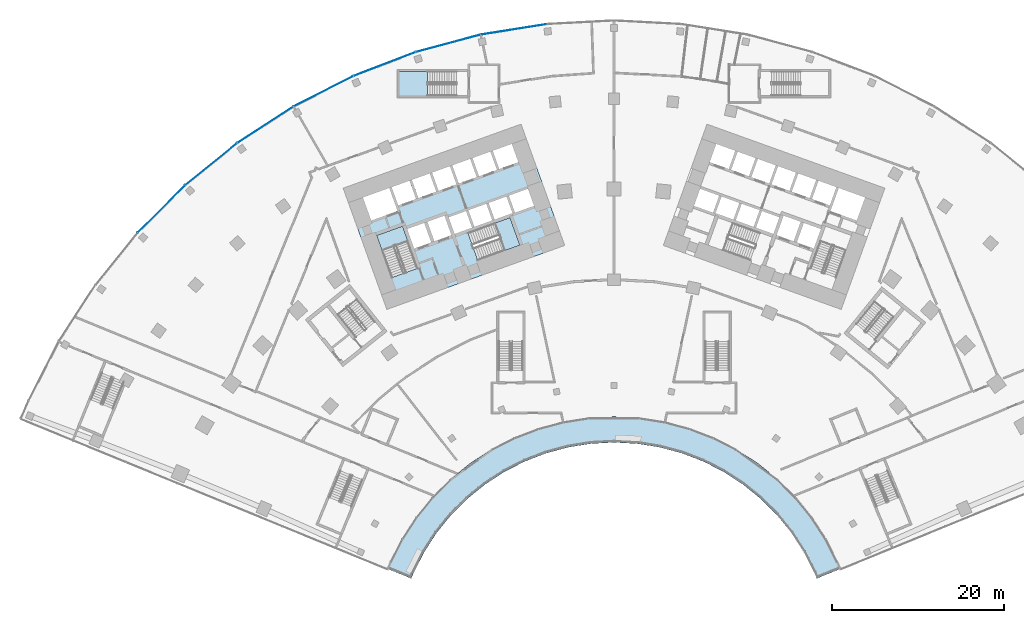
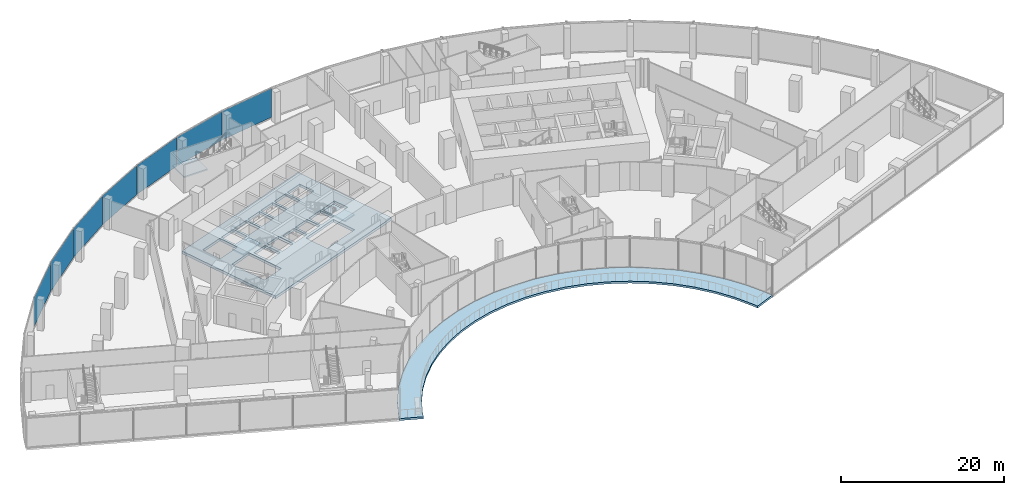
# One storey, part 19 of 39: 7 plates, 5 slabs, 4 elements without a shape of their own.
"""IFC4 building model written with IfcOpenShell, lengths in metres."""

from ifc_helpers import new_model, si_unit, direction, frame, origin, origin_2d, place, context, subcontext, project, spatial, polyline, rectangle, outline, extrude, material, layer, layer_set, type_object, element, aggregate, save


model = new_model("IFC4")

# Units and contexts
model_context = context("Model", 3, precision=1e-05, world=origin(), true_north=direction((0.0, 1.0)))
body_context = subcontext(model_context, "Body", "Model", "MODEL_VIEW")
ifc_project = project(units=[si_unit("LENGTHUNIT", "METRE"), si_unit("AREAUNIT", "SQUARE_METRE"), si_unit("VOLUMEUNIT", "CUBIC_METRE"), si_unit("PLANEANGLEUNIT", "RADIAN"), si_unit("MASSUNIT", "GRAM", prefix="KILO")], contexts=[model_context])

# Site, building, storey
site_placement = place(None, origin())
site = spatial("IfcSite", under=ifc_project, at=site_placement, CompositionType="ELEMENT")
building_placement = place(site_placement, origin())
building = spatial("IfcBuilding", under=site, at=building_placement, Name="Stone Belt Terrace Tower", CompositionType="ELEMENT")
storey_placement = place(building_placement, frame((0.0, 0.0, 20.800048828125)))
storey = spatial("IfcBuildingStorey", under=building, at=storey_placement, Name="L04", CompositionType="ELEMENT", Elevation=20.800048828125)

# Curtain wall, plates
ifc_material_1 = material(Name="Aluminium 6063-T6 anodised frame", Category="aluminium")
ifc_layer_1 = layer(ifc_material_1, 0.14990234375)
ifc_layer_set_1 = layer_set([ifc_layer_1], Name="CW-D podium shopfront")
curtain_wall_type = type_object("IfcCurtainWallType", Name="CW-D podium shopfront", PredefinedType="NOTDEFINED", material=ifc_layer_set_1)
curtain_wall_placement = place(storey_placement, origin())
curtain_wall = element("IfcCurtainWall", 1, at=curtain_wall_placement, inside=storey, type_object=curtain_wall_type, Name="CW-D convex face L04", PredefinedType="NOTDEFINED")
ifc_material_2 = material(Name="Clear double glazed unit")
ifc_layer_2 = layer(ifc_material_2, 0.031982421875)
ifc_layer_set_2 = layer_set([ifc_layer_2], Name="CW-D glass panel 32")
plate_type = type_object("IfcPlateType", Name="CW-D glass panel 32", PredefinedType="CURTAIN_PANEL", material=ifc_layer_set_2)
plate_1_placement = place(storey_placement, frame((-11.650146484375, 73.555908203125, 0.14013671875), z_axis=(0.0, 0.0, 1.0), x_axis=(-0.987688340595, -0.15643446504, 0.0)))
plate_1 = element("IfcPlate", 2, at=plate_1_placement, type_object=plate_type, Name="CW-D panel 14.1", PredefinedType="CURTAIN_PANEL", context=body_context, shape_type="SweptSolid", body=[
    extrude(rectangle(XDim=7.738037109375, YDim=0.031982421875, at=origin_2d()), origin(), (0.0, 0.0, 1.0), 4.320068359375),
])
plate_2_placement = place(storey_placement, frame((-19.27490234375, 71.935302734375, 0.14013671875), z_axis=(0.0, 0.0, 1.0), x_axis=(-0.965925826289, -0.258819045103, 0.0)))
plate_2 = element("IfcPlate", 3, at=plate_2_placement, type_object=plate_type, Name="CW-D panel 15.1", PredefinedType="CURTAIN_PANEL", context=body_context, shape_type="SweptSolid", body=[
    extrude(rectangle(XDim=7.738037109375, YDim=0.031982421875, at=origin_2d()), origin(), (0.0, 0.0, 1.0), 4.320068359375),
])
plate_3_placement = place(storey_placement, frame((-26.688720703125, 69.5263671875, 0.14013671875), z_axis=(0.0, 0.0, 1.0), x_axis=(-0.933580426497, -0.358367949545, 0.0)))
plate_3 = element("IfcPlate", 4, at=plate_3_placement, type_object=plate_type, Name="CW-D panel 16.1", PredefinedType="CURTAIN_PANEL", context=body_context, shape_type="SweptSolid", body=[
    extrude(rectangle(XDim=7.738037109375, YDim=0.031982421875, at=origin_2d()), origin(), (0.0, 0.0, 1.0), 4.320068359375),
])
plate_4_placement = place(storey_placement, frame((-33.81005859375, 66.35595703125, 0.14013671875), z_axis=(0.0, 0.0, 1.0), x_axis=(-0.891006524188, -0.45399049974, 0.0)))
plate_4 = element("IfcPlate", 5, at=plate_4_placement, type_object=plate_type, Name="CW-D panel 17.1", PredefinedType="CURTAIN_PANEL", context=body_context, shape_type="SweptSolid", body=[
    extrude(rectangle(XDim=7.738037109375, YDim=0.031982421875, at=origin_2d()), origin(), (0.0, 0.0, 1.0), 4.320068359375),
])
plate_5_placement = place(storey_placement, frame((-40.560791015625, 62.458251953125, 0.14013671875), z_axis=(0.0, 0.0, 1.0), x_axis=(-0.838670567945, -0.544639035015, 0.0)))
plate_5 = element("IfcPlate", 6, at=plate_5_placement, type_object=plate_type, Name="CW-D panel 18.1", PredefinedType="CURTAIN_PANEL", context=body_context, shape_type="SweptSolid", body=[
    extrude(rectangle(XDim=7.738037109375, YDim=0.031982421875, at=origin_2d()), origin(), (0.0, 0.0, 1.0), 4.320068359375),
])
plate_6_placement = place(storey_placement, frame((-46.867431640625, 57.876220703125, 0.14013671875), z_axis=(0.0, 0.0, 1.0), x_axis=(-0.777145961457, -0.62932039105, 0.0)))
plate_6 = element("IfcPlate", 7, at=plate_6_placement, type_object=plate_type, Name="CW-D panel 19.1", PredefinedType="CURTAIN_PANEL", context=body_context, shape_type="SweptSolid", body=[
    extrude(rectangle(XDim=7.738037109375, YDim=0.031982421875, at=origin_2d()), origin(), (0.0, 0.0, 1.0), 4.320068359375),
])
plate_7_placement = place(storey_placement, frame((-52.660400390625, 52.660400390625, 0.14013671875), z_axis=(0.0, 0.0, 1.0), x_axis=(-0.707106781187, -0.707106781187, 0.0)))
plate_7 = element("IfcPlate", 8, at=plate_7_placement, type_object=plate_type, Name="CW-D panel 20.1", PredefinedType="CURTAIN_PANEL", context=body_context, shape_type="SweptSolid", body=[
    extrude(rectangle(XDim=7.738037109375, YDim=0.031982421875, at=origin_2d()), origin(), (0.0, 0.0, 1.0), 4.320068359375),
])
aggregate(curtain_wall, [plate_1, plate_2, plate_3, plate_4, plate_5, plate_6, plate_7])

# Slab
ifc_material_3 = material(Name="Concrete B40", Category="concrete")
ifc_layer_3 = layer(ifc_material_3, 0.39990234375)
ifc_layer_set_3 = layer_set([ifc_layer_3], Name="Core floor slab 400")
slab_type_1 = type_object("IfcSlabType", Name="Core floor slab 400", PredefinedType="FLOOR", material=ifc_layer_set_3)
slab_1_placement = place(storey_placement, frame((0.0, 0.0, -0.400146484375)))
element("IfcSlab", 9, at=slab_1_placement, inside=storey, type_object=slab_type_1, Name="Core A floor L04", PredefinedType="FLOOR", context=body_context, shape_type="SweptSolid", body=[
    extrude(outline(polyline([(-26.43505859375, 40.968994140625), (-5.735107421875, 48.4189453125), (-10.81396484375, 62.531982421875), (-31.513916015625, 55.0830078125), (-26.43505859375, 40.968994140625)]), holes=[polyline([(-24.60791015625, 50.659912109375), (-22.847900390625, 45.76806640625), (-25.85888671875, 44.68408203125), (-27.618896484375, 49.575927734375), (-24.60791015625, 50.659912109375)]), polyline([(-21.27392578125, 48.778076171875), (-23.25, 48.06689453125), (-24.06298828125, 50.324951171875), (-22.0869140625, 51.035888671875), (-21.27392578125, 48.778076171875)]), polyline([(-18.922119140625, 49.6240234375), (-20.89794921875, 48.9130859375), (-21.7109375, 51.1708984375), (-19.735107421875, 51.883056640625), (-18.922119140625, 49.6240234375)]), polyline([(-19.239990234375, 51.68896484375), (-17.217041015625, 52.4169921875), (-16.52294921875, 50.488037109375), (-18.5458984375, 49.760009765625), (-19.239990234375, 51.68896484375)]), polyline([(-29.2109375, 53.9990234375), (-26.153076171875, 55.09912109375), (-25.18798828125, 52.41796875), (-28.24609375, 51.31689453125), (-29.2109375, 53.9990234375)]), polyline([(-23.801025390625, 55.946044921875), (-23.0390625, 53.8291015625), (-25.10888671875, 53.083984375), (-25.87109375, 55.200927734375), (-23.801025390625, 55.946044921875)]), polyline([(-21.447998046875, 56.7919921875), (-20.68603515625, 54.675048828125), (-22.756103515625, 53.929931640625), (-23.51806640625, 56.047119140625), (-21.447998046875, 56.7919921875)]), polyline([(-19.095947265625, 57.638916015625), (-18.333984375, 55.52197265625), (-20.404052734375, 54.777099609375), (-21.166015625, 56.89404296875), (-19.095947265625, 57.638916015625)]), polyline([(-15.846923828125, 46.69189453125), (-16.998046875, 49.89208984375), (-12.10595703125, 51.652099609375), (-10.955078125, 48.452880859375), (-15.846923828125, 46.69189453125)]), polyline([(-16.239990234375, 50.589111328125), (-16.93408203125, 52.51806640625), (-14.864013671875, 53.262939453125), (-14.169921875, 51.333984375), (-16.239990234375, 50.589111328125)]), polyline([(-11.801025390625, 52.134033203125), (-11.847900390625, 52.116943359375), (-11.864990234375, 52.1640625), (-13.887939453125, 51.43603515625), (-14.58203125, 53.364990234375), (-12.511962890625, 54.110107421875), (-11.801025390625, 52.134033203125)]), polyline([(-9.30810546875, 53.031005859375), (-11.51904296875, 52.235107421875), (-12.22998046875, 54.2109375), (-10.01904296875, 55.007080078125), (-9.30810546875, 53.031005859375)]), polyline([(-16.743896484375, 58.485107421875), (-15.98193359375, 56.367919921875), (-18.052001953125, 55.623046875), (-18.81396484375, 57.739990234375), (-16.743896484375, 58.485107421875)]), polyline([(-14.39111328125, 59.33203125), (-13.6298828125, 57.215087890625), (-15.699951171875, 56.469970703125), (-16.4609375, 58.5869140625), (-14.39111328125, 59.33203125)]), polyline([(-11.89794921875, 60.22900390625), (-11.135986328125, 58.112060546875), (-13.346923828125, 57.31591796875), (-14.10888671875, 59.43408203125), (-11.89794921875, 60.22900390625)])]), origin(), (0.0, 0.0, 1.0), 0.400146484375),
])

# Stair, slab
ifc_material_4 = material(Name="Concrete B30", Category="concrete")
stair_type_1 = type_object("IfcStairType", Name="Podium stair concrete B30", PredefinedType="HALF_TURN_STAIR", material=ifc_material_4)
stair_1_placement = place(storey_placement, origin())
stair_1 = element("IfcStair", 10, at=stair_1_placement, inside=storey, type_object=stair_type_1, Name="L04 podium exit stair 7", PredefinedType="HALF_TURN_STAIR")
ifc_layer_4 = layer(ifc_material_4, 0.199951171875)
ifc_layer_set_4 = layer_set([ifc_layer_4], Name="Podium stair landing concrete B30")
slab_type_2 = type_object("IfcSlabType", Name="Podium stair landing concrete B30", PredefinedType="LANDING", material=ifc_layer_set_4)
slab_2_placement = place(storey_placement, frame((0.0, 0.0, 2.099853515625)))
slab_2 = element("IfcSlab", 11, at=slab_2_placement, type_object=slab_type_2, Name="PS7 landing 1", PredefinedType="LANDING", context=body_context, shape_type="SweptSolid", body=[
    extrude(outline(polyline([(-21.697021484375, 68.675048828125), (-25.010009765625, 68.675048828125), (-25.010009765625, 65.824951171875), (-21.697021484375, 65.824951171875), (-21.697021484375, 68.675048828125)])), origin(), (0.0, 0.0, 1.0), 0.2001953125),
])
aggregate(stair_1, [slab_2])

stair_type_2 = type_object("IfcStairType", Name="Exit stair 1500", PredefinedType="HALF_TURN_STAIR", material=ifc_material_3)
stair_2_placement = place(storey_placement, origin())
stair_2 = element("IfcStair", 12, at=stair_2_placement, inside=storey, type_object=stair_type_2, Name="L04 Exit stair 1 core A", PredefinedType="HALF_TURN_STAIR")
ifc_layer_5 = layer(ifc_material_3, 0.199951171875)
ifc_layer_set_5 = layer_set([ifc_layer_5], Name="Stair landing 200")
slab_type_3 = type_object("IfcSlabType", Name="Stair landing 200", PredefinedType="LANDING", material=ifc_layer_set_5)
slab_3_placement = place(storey_placement, frame((0.0, 0.0, 2.099853515625)))
slab_3 = element("IfcSlab", 13, at=slab_3_placement, type_object=slab_type_3, Name="ST1A landing 1", PredefinedType="LANDING", context=body_context, shape_type="SweptSolid", body=[
    extrude(outline(polyline([(-23.985107421875, 48.927734375), (-24.6083984375, 50.659912109375), (-27.619384765625, 49.576171875), (-26.99609375, 47.84423828125), (-23.985107421875, 48.927734375)])), origin(), (0.0, 0.0, 1.0), 0.2001953125),
])
aggregate(stair_2, [slab_3])

stair_3_placement = place(storey_placement, origin())
stair_3 = element("IfcStair", 14, at=stair_3_placement, inside=storey, type_object=stair_type_2, Name="L04 Exit stair 2 core A", PredefinedType="HALF_TURN_STAIR")
slab_4_placement = place(storey_placement, frame((0.0, 0.0, 2.099853515625)))
slab_4 = element("IfcSlab", 15, at=slab_4_placement, type_object=slab_type_3, Name="ST2A landing 1", PredefinedType="LANDING", context=body_context, shape_type="SweptSolid", body=[
    extrude(outline(polyline([(-12.6865234375, 47.82958984375), (-10.95458984375, 48.453125), (-12.10595703125, 51.652099609375), (-13.837890625, 51.02880859375), (-12.6865234375, 47.82958984375)])), origin(), (0.0, 0.0, 1.0), 0.2001953125),
])
aggregate(stair_3, [slab_4])

# Slab
ifc_layer_6 = layer(ifc_material_3, 0.300048828125)
ifc_layer_set_6 = layer_set([ifc_layer_6], Name="Terrace slab 300 B40")
slab_type_4 = type_object("IfcSlabType", Name="Terrace slab 300 B40", PredefinedType="FLOOR", material=ifc_layer_set_6)
slab_5_placement = place(storey_placement, frame((0.0, 0.0, -0.300048828125)))
element("IfcSlab", 16, at=slab_5_placement, inside=storey, type_object=slab_type_4, Name="Terrace slab L04-podium_terrace-1", PredefinedType="FLOOR", context=body_context, shape_type="SweptSolid", body=[
    extrude(outline(polyline([(23.59521484375, 9.670654296875), (26.37109375, 10.808349609375), (26.035888671875, 11.592041015625), (24.681640625, 14.25), (23.056884765625, 16.751953125), (21.1796875, 19.0703125), (19.0703125, 21.1796875), (16.751953125, 23.056884765625), (14.25, 24.681640625), (11.592041015625, 26.035888671875), (8.806884765625, 27.10498046875), (5.925537109375, 27.877197265625), (2.97900390625, 28.343994140625), (0.0, 28.5), (-2.97900390625, 28.343994140625), (-5.925537109375, 27.877197265625), (-8.806884765625, 27.10498046875), (-11.592041015625, 26.035888671875), (-14.25, 24.681640625), (-16.751953125, 23.056884765625), (-19.0703125, 21.1796875), (-21.1796875, 19.0703125), (-23.056884765625, 16.751953125), (-24.681640625, 14.25), (-26.035888671875, 11.592041015625), (-26.37109375, 10.808349609375), (-23.59521484375, 9.670654296875), (-23.29541015625, 10.371826171875), (-22.08349609375, 12.75), (-20.6298828125, 14.988525390625), (-18.9501953125, 17.062744140625), (-17.062744140625, 18.9501953125), (-14.988525390625, 20.6298828125), (-12.75, 22.08349609375), (-10.371826171875, 23.29541015625), (-7.8798828125, 24.251953125), (-5.3017578125, 24.94287109375), (-2.66552734375, 25.3603515625), (0.0, 25.5), (2.66552734375, 25.3603515625), (5.3017578125, 24.94287109375), (7.8798828125, 24.251953125), (10.371826171875, 23.29541015625), (12.75, 22.08349609375), (14.988525390625, 20.6298828125), (17.062744140625, 18.9501953125), (18.9501953125, 17.062744140625), (20.6298828125, 14.988525390625), (22.08349609375, 12.75), (23.29541015625, 10.371826171875), (23.59521484375, 9.670654296875)])), origin(), (0.0, 0.0, 1.0), 0.300048828125),
])

save(model, "model.ifc")
